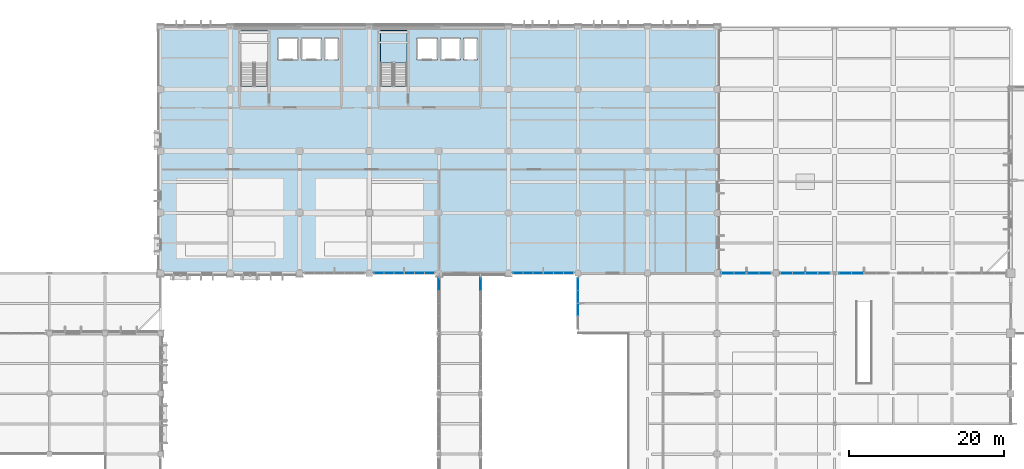
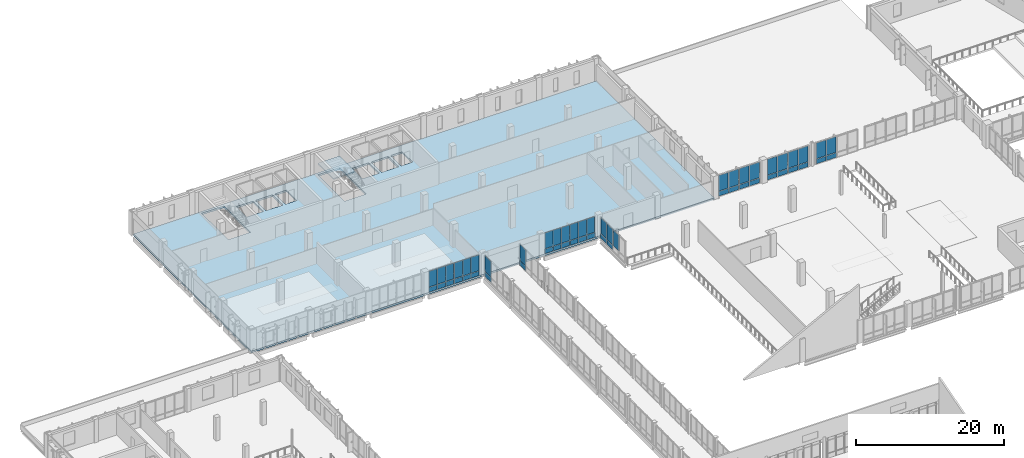
# One storey, part 48 of 85: 53 plates, 2 slabs, 14 elements without a shape of their own.
"""IFC4 building model written with IfcOpenShell, lengths in metres."""

from ifc_helpers import new_model, si_unit, direction, frame, origin, origin_2d, place, context, subcontext, project, spatial, polyline, rectangle, outline, extrude, material, layer, layer_set, type_object, element, aggregate, save


model = new_model("IFC4")

# Units and contexts
model_context = context("Model", 3, precision=1e-05, world=origin(), true_north=direction((0.0, 1.0)))
body_context = subcontext(model_context, "Body", "Model", "MODEL_VIEW")
ifc_project = project(units=[si_unit("LENGTHUNIT", "METRE"), si_unit("AREAUNIT", "SQUARE_METRE"), si_unit("VOLUMEUNIT", "CUBIC_METRE"), si_unit("PLANEANGLEUNIT", "RADIAN"), si_unit("MASSUNIT", "GRAM", prefix="KILO")], contexts=[model_context])

# Site, building, storey
site_placement = place(None, origin())
site = spatial("IfcSite", under=ifc_project, at=site_placement, CompositionType="ELEMENT")
building_placement = place(site_placement, origin())
building = spatial("IfcBuilding", under=site, at=building_placement, Name="Vervanel Yard Central Library", CompositionType="ELEMENT")
storey_placement = place(building_placement, frame((0.0, 0.0, 5.10009765625)))
storey = spatial("IfcBuildingStorey", under=building, at=storey_placement, Name="L01", CompositionType="ELEMENT", Elevation=5.10009765625)

# Curtain wall, plate
ifc_material_1 = material(Name="Thermally broken anodized aluminium 6063-T6", Category="aluminium")
curtain_wall_type_1 = type_object("IfcCurtainWallType", Name="Boulevard Cafe & Bridge Curtain Wall", PredefinedType="NOTDEFINED", material=ifc_material_1)
curtain_wall_1_placement = place(storey_placement, origin())
curtain_wall_1 = element("IfcCurtainWall", 1, at=curtain_wall_1_placement, inside=storey, type_object=curtain_wall_type_1, Name="L01 Boulevard Cafe & Bridge Curtain Wall CWR-L01-183", PredefinedType="NOTDEFINED")
ifc_material_2 = material(Name="Insulated bronze aluminium spandrel panel", Category="aluminium")
ifc_layer_1 = layer(ifc_material_2, 0.070068359375, Category="aluminium")
ifc_layer_set_1 = layer_set([ifc_layer_1], Name="Insulated bronze aluminium spandrel panel")
plate_type_1 = type_object("IfcPlateType", Name="Bridge Fascia Spandrel Panel 70", PredefinedType="CURTAIN_PANEL", material=ifc_layer_set_1)
plate_1_placement = place(storey_placement, frame((72.0, 80.782470703125, 0.06005859375), z_axis=(0.0, 0.0, 1.0), x_axis=(0.0, 1.0, 0.0)))
plate_1 = element("IfcPlate", 2, at=plate_1_placement, type_object=plate_type_1, Name="CWR-L01-183 Panel B4-1", PredefinedType="CURTAIN_PANEL", context=body_context, shape_type="SweptSolid", body=[
    extrude(rectangle(XDim=1.594970703125, YDim=0.070068359375, at=origin_2d()), origin(), (0.0, 0.0, 1.0), 0.760009765625),
])

curtain_wall_2_placement = place(storey_placement, origin())
curtain_wall_2 = element("IfcCurtainWall", 3, at=curtain_wall_2_placement, inside=storey, type_object=curtain_wall_type_1, Name="L01 Boulevard Cafe & Bridge Curtain Wall CWR-L01-191", PredefinedType="NOTDEFINED")
plate_2_placement = place(storey_placement, frame((77.39990234375, 80.782470703125, 0.06005859375), z_axis=(0.0, 0.0, 1.0), x_axis=(0.0, 1.0, 0.0)))
plate_2 = element("IfcPlate", 4, at=plate_2_placement, type_object=plate_type_1, Name="CWR-L01-191 Panel B4-1", PredefinedType="CURTAIN_PANEL", context=body_context, shape_type="SweptSolid", body=[
    extrude(rectangle(XDim=1.594970703125, YDim=0.070068359375, at=origin_2d()), origin(), (0.0, 0.0, 1.0), 0.760009765625),
])

# Plate
ifc_material_3 = material(Name="Double low-E laminated solar-control glass", Category="glass")
ifc_layer_2 = layer(ifc_material_3, 0.028076171875, Category="glass")
ifc_layer_set_2 = layer_set([ifc_layer_2], Name="Double low-E laminated solar-control glass")
plate_type_2 = type_object("IfcPlateType", Name="Bridge UV-Filtered Vision Panel 28", PredefinedType="CURTAIN_PANEL", material=ifc_layer_set_2)
plate_3_placement = place(storey_placement, frame((72.0, 80.782470703125, 0.8798828125), z_axis=(0.0, 0.0, 1.0), x_axis=(0.0, 1.0, 0.0)))
plate_3 = element("IfcPlate", 5, at=plate_3_placement, type_object=plate_type_2, Name="CWR-L01-183 Panel B4-2", PredefinedType="CURTAIN_PANEL", context=body_context, shape_type="SweptSolid", body=[
    extrude(rectangle(XDim=1.594970703125, YDim=0.028076171875, at=origin_2d()), origin(), (0.0, 0.0, 1.0), 2.590087890625),
])

aggregate(curtain_wall_1, [plate_1, plate_3])

plate_4_placement = place(storey_placement, frame((77.39990234375, 80.782470703125, 0.8798828125), z_axis=(0.0, 0.0, 1.0), x_axis=(0.0, 1.0, 0.0)))
plate_4 = element("IfcPlate", 6, at=plate_4_placement, type_object=plate_type_2, Name="CWR-L01-191 Panel B4-2", PredefinedType="CURTAIN_PANEL", context=body_context, shape_type="SweptSolid", body=[
    extrude(rectangle(XDim=1.594970703125, YDim=0.028076171875, at=origin_2d()), origin(), (0.0, 0.0, 1.0), 2.590087890625),
])

aggregate(curtain_wall_2, [plate_2, plate_4])

# Stair, slab
ifc_material_4 = material(Name="Concrete C40/50", Category="concrete")
stair_type = type_object("IfcStairType", Name="Protected Core Dog-Leg Stair ST-02", PredefinedType="HALF_TURN_STAIR", material=ifc_material_4)
stair_placement = place(storey_placement, origin())
stair = element("IfcStair", 7, at=stair_placement, inside=storey, type_object=stair_type, Name="L01 CORE-B Protected Exit Stair", PredefinedType="HALF_TURN_STAIR")
ifc_layer_3 = layer(ifc_material_4, 0.199951171875, Category="concrete")
ifc_layer_set_3 = layer_set([ifc_layer_3], Name="Concrete C40/50")
slab_type_1 = type_object("IfcSlabType", Name="Core Stair Concrete Landing Slab 200", PredefinedType="LANDING", material=ifc_layer_set_3)
slab_1_placement = place(storey_placement, frame((0.0, 0.0, 1.719970703125)))
slab_1 = element("IfcSlab", 8, at=slab_1_placement, type_object=slab_type_1, Name="ST-02 landing 1", PredefinedType="LANDING", context=body_context, shape_type="SweptSolid", body=[
    extrude(outline(polyline([(67.85009765625, 109.39990234375), (67.85009765625, 113.60009765625), (64.449951171875, 113.60009765625), (64.449951171875, 109.39990234375), (67.85009765625, 109.39990234375)])), origin(), (0.0, 0.0, 1.0), 0.199951171875),
])
aggregate(stair, [slab_1])

# Curtain wall, plates
curtain_wall_type_2 = type_object("IfcCurtainWallType", Name="Atrium Courtyard Curtain Wall", PredefinedType="NOTDEFINED", material=ifc_material_1)
curtain_wall_3_placement = place(storey_placement, origin())
curtain_wall_3 = element("IfcCurtainWall", 9, at=curtain_wall_3_placement, inside=storey, type_object=curtain_wall_type_2, Name="L01 Atrium Courtyard Curtain Wall CWR-L01-003", PredefinedType="NOTDEFINED")
ifc_layer_4 = layer(ifc_material_3, 0.030029296875, Category="glass")
ifc_layer_set_4 = layer_set([ifc_layer_4], Name="Double low-E laminated solar-control glass")
plate_type_3 = type_object("IfcPlateType", Name="Courtyard Clear Low-E Panel 30", PredefinedType="CURTAIN_PANEL", material=ifc_layer_set_4)
plate_5_placement = place(storey_placement, frame((64.23828125, 82.199951171875, 0.88232421875), z_axis=(0.0, 0.0, 1.0), x_axis=(1.0, 0.0, 0.0)))
plate_5 = element("IfcPlate", 10, at=plate_5_placement, type_object=plate_type_3, Name="CWR-L01-003 Panel B1-2", PredefinedType="CURTAIN_PANEL", context=body_context, shape_type="SweptSolid", body=[
    extrude(rectangle(XDim=1.2265625, YDim=0.030029296875, at=origin_2d()), origin(), (0.0, 0.0, 1.0), 2.58251953125),
])
plate_6_placement = place(storey_placement, frame((65.530029296875, 82.199951171875, 0.88232421875), z_axis=(0.0, 0.0, 1.0), x_axis=(1.0, 0.0, 0.0)))
plate_6 = element("IfcPlate", 11, at=plate_6_placement, type_object=plate_type_3, Name="CWR-L01-003 Panel B2-2", PredefinedType="CURTAIN_PANEL", context=body_context, shape_type="SweptSolid", body=[
    extrude(rectangle(XDim=1.2265625, YDim=0.030029296875, at=origin_2d()), origin(), (0.0, 0.0, 1.0), 2.58251953125),
])
plate_7_placement = place(storey_placement, frame((66.82177734375, 82.199951171875, 0.88232421875), z_axis=(0.0, 0.0, 1.0), x_axis=(1.0, 0.0, 0.0)))
plate_7 = element("IfcPlate", 12, at=plate_7_placement, type_object=plate_type_3, Name="CWR-L01-003 Panel B3-2", PredefinedType="CURTAIN_PANEL", context=body_context, shape_type="SweptSolid", body=[
    extrude(rectangle(XDim=1.2265625, YDim=0.030029296875, at=origin_2d()), origin(), (0.0, 0.0, 1.0), 2.58251953125),
])

curtain_wall_4_placement = place(storey_placement, origin())
curtain_wall_4 = element("IfcCurtainWall", 13, at=curtain_wall_4_placement, inside=storey, type_object=curtain_wall_type_2, Name="L01 Atrium Courtyard Curtain Wall CWR-L01-004", PredefinedType="NOTDEFINED")
plate_8_placement = place(storey_placement, frame((68.17822265625, 82.199951171875, 0.88232421875), z_axis=(0.0, 0.0, 1.0), x_axis=(1.0, 0.0, 0.0)))
plate_8 = element("IfcPlate", 14, at=plate_8_placement, type_object=plate_type_3, Name="CWR-L01-004 Panel B1-2", PredefinedType="CURTAIN_PANEL", context=body_context, shape_type="SweptSolid", body=[
    extrude(rectangle(XDim=1.2265625, YDim=0.030029296875, at=origin_2d()), origin(), (0.0, 0.0, 1.0), 2.58251953125),
])
plate_9_placement = place(storey_placement, frame((69.469970703125, 82.199951171875, 0.88232421875), z_axis=(0.0, 0.0, 1.0), x_axis=(1.0, 0.0, 0.0)))
plate_9 = element("IfcPlate", 15, at=plate_9_placement, type_object=plate_type_3, Name="CWR-L01-004 Panel B2-2", PredefinedType="CURTAIN_PANEL", context=body_context, shape_type="SweptSolid", body=[
    extrude(rectangle(XDim=1.2265625, YDim=0.030029296875, at=origin_2d()), origin(), (0.0, 0.0, 1.0), 2.58251953125),
])
plate_10_placement = place(storey_placement, frame((70.76171875, 82.199951171875, 0.88232421875), z_axis=(0.0, 0.0, 1.0), x_axis=(1.0, 0.0, 0.0)))
plate_10 = element("IfcPlate", 16, at=plate_10_placement, type_object=plate_type_3, Name="CWR-L01-004 Panel B3-2", PredefinedType="CURTAIN_PANEL", context=body_context, shape_type="SweptSolid", body=[
    extrude(rectangle(XDim=1.2265625, YDim=0.030029296875, at=origin_2d()), origin(), (0.0, 0.0, 1.0), 2.58251953125),
])

curtain_wall_5_placement = place(storey_placement, origin())
curtain_wall_5 = element("IfcCurtainWall", 17, at=curtain_wall_5_placement, inside=storey, type_object=curtain_wall_type_2, Name="L01 Atrium Courtyard Curtain Wall CWR-L01-005", PredefinedType="NOTDEFINED")
plate_11_placement = place(storey_placement, frame((82.23828125, 82.199951171875, 0.88232421875), z_axis=(0.0, 0.0, 1.0), x_axis=(1.0, 0.0, 0.0)))
plate_11 = element("IfcPlate", 18, at=plate_11_placement, type_object=plate_type_3, Name="CWR-L01-005 Panel B1-2", PredefinedType="CURTAIN_PANEL", context=body_context, shape_type="SweptSolid", body=[
    extrude(rectangle(XDim=1.2265625, YDim=0.030029296875, at=origin_2d()), origin(), (0.0, 0.0, 1.0), 2.58251953125),
])
plate_12_placement = place(storey_placement, frame((83.530029296875, 82.199951171875, 0.88232421875), z_axis=(0.0, 0.0, 1.0), x_axis=(1.0, 0.0, 0.0)))
plate_12 = element("IfcPlate", 19, at=plate_12_placement, type_object=plate_type_3, Name="CWR-L01-005 Panel B2-2", PredefinedType="CURTAIN_PANEL", context=body_context, shape_type="SweptSolid", body=[
    extrude(rectangle(XDim=1.2265625, YDim=0.030029296875, at=origin_2d()), origin(), (0.0, 0.0, 1.0), 2.58251953125),
])
plate_13_placement = place(storey_placement, frame((84.82177734375, 82.199951171875, 0.88232421875), z_axis=(0.0, 0.0, 1.0), x_axis=(1.0, 0.0, 0.0)))
plate_13 = element("IfcPlate", 20, at=plate_13_placement, type_object=plate_type_3, Name="CWR-L01-005 Panel B3-2", PredefinedType="CURTAIN_PANEL", context=body_context, shape_type="SweptSolid", body=[
    extrude(rectangle(XDim=1.2265625, YDim=0.030029296875, at=origin_2d()), origin(), (0.0, 0.0, 1.0), 2.58251953125),
])

curtain_wall_6_placement = place(storey_placement, origin())
curtain_wall_6 = element("IfcCurtainWall", 21, at=curtain_wall_6_placement, inside=storey, type_object=curtain_wall_type_2, Name="L01 Atrium Courtyard Curtain Wall CWR-L01-006", PredefinedType="NOTDEFINED")
plate_14_placement = place(storey_placement, frame((86.17822265625, 82.199951171875, 0.88232421875), z_axis=(0.0, 0.0, 1.0), x_axis=(1.0, 0.0, 0.0)))
plate_14 = element("IfcPlate", 22, at=plate_14_placement, type_object=plate_type_3, Name="CWR-L01-006 Panel B1-2", PredefinedType="CURTAIN_PANEL", context=body_context, shape_type="SweptSolid", body=[
    extrude(rectangle(XDim=1.2265625, YDim=0.030029296875, at=origin_2d()), origin(), (0.0, 0.0, 1.0), 2.58251953125),
])
plate_15_placement = place(storey_placement, frame((87.469970703125, 82.199951171875, 0.88232421875), z_axis=(0.0, 0.0, 1.0), x_axis=(1.0, 0.0, 0.0)))
plate_15 = element("IfcPlate", 23, at=plate_15_placement, type_object=plate_type_3, Name="CWR-L01-006 Panel B2-2", PredefinedType="CURTAIN_PANEL", context=body_context, shape_type="SweptSolid", body=[
    extrude(rectangle(XDim=1.2265625, YDim=0.030029296875, at=origin_2d()), origin(), (0.0, 0.0, 1.0), 2.58251953125),
])
plate_16_placement = place(storey_placement, frame((88.76171875, 82.199951171875, 0.88232421875), z_axis=(0.0, 0.0, 1.0), x_axis=(1.0, 0.0, 0.0)))
plate_16 = element("IfcPlate", 24, at=plate_16_placement, type_object=plate_type_3, Name="CWR-L01-006 Panel B3-2", PredefinedType="CURTAIN_PANEL", context=body_context, shape_type="SweptSolid", body=[
    extrude(rectangle(XDim=1.2265625, YDim=0.030029296875, at=origin_2d()), origin(), (0.0, 0.0, 1.0), 2.58251953125),
])

# Curtain wall, plate
curtain_wall_type_3 = type_object("IfcCurtainWallType", Name="Reading Hall Full-Height Curtain Wall", PredefinedType="NOTDEFINED", material=ifc_material_1)
curtain_wall_7_placement = place(storey_placement, origin())
curtain_wall_7 = element("IfcCurtainWall", 25, at=curtain_wall_7_placement, inside=storey, type_object=curtain_wall_type_3, Name="L01 Reading Hall Full-Height Curtain Wall CWR-L01-050", PredefinedType="NOTDEFINED")
plate_17_placement = place(storey_placement, frame((90.0, 77.447509765625, 0.884765625), z_axis=(0.0, 0.0, 1.0), x_axis=(0.0, 1.0, 0.0)))
plate_17 = element("IfcPlate", 26, at=plate_17_placement, type_object=plate_type_3, Name="CWR-L01-050 Panel B2-2", PredefinedType="CURTAIN_PANEL", context=body_context, shape_type="SweptSolid", body=[
    extrude(rectangle(XDim=1.56494140625, YDim=0.030029296875, at=origin_2d()), origin(), (0.0, 0.0, 1.0), 2.574951171875),
])
aggregate(curtain_wall_7, [plate_17])

# Curtain wall, plates
curtain_wall_8_placement = place(storey_placement, origin())
curtain_wall_8 = element("IfcCurtainWall", 27, at=curtain_wall_8_placement, inside=storey, type_object=curtain_wall_type_3, Name="L01 Reading Hall Full-Height Curtain Wall CWR-L01-051", PredefinedType="NOTDEFINED")
plate_18_placement = place(storey_placement, frame((90.0, 79.152587890625, 0.884765625), z_axis=(0.0, 0.0, 1.0), x_axis=(0.0, 1.0, 0.0)))
plate_18 = element("IfcPlate", 28, at=plate_18_placement, type_object=plate_type_3, Name="CWR-L01-051 Panel B1-2", PredefinedType="CURTAIN_PANEL", context=body_context, shape_type="SweptSolid", body=[
    extrude(rectangle(XDim=1.56494140625, YDim=0.030029296875, at=origin_2d()), origin(), (0.0, 0.0, 1.0), 2.574951171875),
])
plate_19_placement = place(storey_placement, frame((90.0, 80.78759765625, 0.884765625), z_axis=(0.0, 0.0, 1.0), x_axis=(0.0, 1.0, 0.0)))
plate_19 = element("IfcPlate", 29, at=plate_19_placement, type_object=plate_type_3, Name="CWR-L01-051 Panel B2-2", PredefinedType="CURTAIN_PANEL", context=body_context, shape_type="SweptSolid", body=[
    extrude(rectangle(XDim=1.56494140625, YDim=0.030029296875, at=origin_2d()), origin(), (0.0, 0.0, 1.0), 2.574951171875),
])

# Plate
ifc_layer_5 = layer(ifc_material_2, 0.080078125, Category="aluminium")
ifc_layer_set_5 = layer_set([ifc_layer_5], Name="Insulated bronze aluminium spandrel panel")
plate_type_4 = type_object("IfcPlateType", Name="Insulated Bronze Spandrel Panel 80", PredefinedType="CURTAIN_PANEL", material=ifc_layer_set_5)
plate_20_placement = place(storey_placement, frame((64.23828125, 82.199951171875, 0.06494140625), z_axis=(0.0, 0.0, 1.0), x_axis=(1.0, 0.0, 0.0)))
plate_20 = element("IfcPlate", 30, at=plate_20_placement, type_object=plate_type_4, Name="CWR-L01-003 Panel B1-1", PredefinedType="CURTAIN_PANEL", context=body_context, shape_type="SweptSolid", body=[
    extrude(rectangle(XDim=1.2265625, YDim=0.080078125, at=origin_2d()), origin(), (0.0, 0.0, 1.0), 0.75244140625),
])

plate_21_placement = place(storey_placement, frame((65.530029296875, 82.199951171875, 0.06494140625), z_axis=(0.0, 0.0, 1.0), x_axis=(1.0, 0.0, 0.0)))
plate_21 = element("IfcPlate", 31, at=plate_21_placement, type_object=plate_type_4, Name="CWR-L01-003 Panel B2-1", PredefinedType="CURTAIN_PANEL", context=body_context, shape_type="SweptSolid", body=[
    extrude(rectangle(XDim=1.2265625, YDim=0.080078125, at=origin_2d()), origin(), (0.0, 0.0, 1.0), 0.75244140625),
])

plate_22_placement = place(storey_placement, frame((66.82177734375, 82.199951171875, 0.06494140625), z_axis=(0.0, 0.0, 1.0), x_axis=(1.0, 0.0, 0.0)))
plate_22 = element("IfcPlate", 32, at=plate_22_placement, type_object=plate_type_4, Name="CWR-L01-003 Panel B3-1", PredefinedType="CURTAIN_PANEL", context=body_context, shape_type="SweptSolid", body=[
    extrude(rectangle(XDim=1.2265625, YDim=0.080078125, at=origin_2d()), origin(), (0.0, 0.0, 1.0), 0.75244140625),
])

aggregate(curtain_wall_3, [plate_20, plate_5, plate_21, plate_6, plate_22, plate_7])

plate_23_placement = place(storey_placement, frame((68.17822265625, 82.199951171875, 0.06494140625), z_axis=(0.0, 0.0, 1.0), x_axis=(1.0, 0.0, 0.0)))
plate_23 = element("IfcPlate", 33, at=plate_23_placement, type_object=plate_type_4, Name="CWR-L01-004 Panel B1-1", PredefinedType="CURTAIN_PANEL", context=body_context, shape_type="SweptSolid", body=[
    extrude(rectangle(XDim=1.2265625, YDim=0.080078125, at=origin_2d()), origin(), (0.0, 0.0, 1.0), 0.75244140625),
])

plate_24_placement = place(storey_placement, frame((69.469970703125, 82.199951171875, 0.06494140625), z_axis=(0.0, 0.0, 1.0), x_axis=(1.0, 0.0, 0.0)))
plate_24 = element("IfcPlate", 34, at=plate_24_placement, type_object=plate_type_4, Name="CWR-L01-004 Panel B2-1", PredefinedType="CURTAIN_PANEL", context=body_context, shape_type="SweptSolid", body=[
    extrude(rectangle(XDim=1.2265625, YDim=0.080078125, at=origin_2d()), origin(), (0.0, 0.0, 1.0), 0.75244140625),
])

plate_25_placement = place(storey_placement, frame((70.76171875, 82.199951171875, 0.06494140625), z_axis=(0.0, 0.0, 1.0), x_axis=(1.0, 0.0, 0.0)))
plate_25 = element("IfcPlate", 35, at=plate_25_placement, type_object=plate_type_4, Name="CWR-L01-004 Panel B3-1", PredefinedType="CURTAIN_PANEL", context=body_context, shape_type="SweptSolid", body=[
    extrude(rectangle(XDim=1.2265625, YDim=0.080078125, at=origin_2d()), origin(), (0.0, 0.0, 1.0), 0.75244140625),
])

aggregate(curtain_wall_4, [plate_23, plate_8, plate_24, plate_9, plate_25, plate_10])

plate_26_placement = place(storey_placement, frame((82.23828125, 82.199951171875, 0.06494140625), z_axis=(0.0, 0.0, 1.0), x_axis=(1.0, 0.0, 0.0)))
plate_26 = element("IfcPlate", 36, at=plate_26_placement, type_object=plate_type_4, Name="CWR-L01-005 Panel B1-1", PredefinedType="CURTAIN_PANEL", context=body_context, shape_type="SweptSolid", body=[
    extrude(rectangle(XDim=1.2265625, YDim=0.080078125, at=origin_2d()), origin(), (0.0, 0.0, 1.0), 0.75244140625),
])

plate_27_placement = place(storey_placement, frame((83.530029296875, 82.199951171875, 0.06494140625), z_axis=(0.0, 0.0, 1.0), x_axis=(1.0, 0.0, 0.0)))
plate_27 = element("IfcPlate", 37, at=plate_27_placement, type_object=plate_type_4, Name="CWR-L01-005 Panel B2-1", PredefinedType="CURTAIN_PANEL", context=body_context, shape_type="SweptSolid", body=[
    extrude(rectangle(XDim=1.2265625, YDim=0.080078125, at=origin_2d()), origin(), (0.0, 0.0, 1.0), 0.75244140625),
])

plate_28_placement = place(storey_placement, frame((84.82177734375, 82.199951171875, 0.06494140625), z_axis=(0.0, 0.0, 1.0), x_axis=(1.0, 0.0, 0.0)))
plate_28 = element("IfcPlate", 38, at=plate_28_placement, type_object=plate_type_4, Name="CWR-L01-005 Panel B3-1", PredefinedType="CURTAIN_PANEL", context=body_context, shape_type="SweptSolid", body=[
    extrude(rectangle(XDim=1.2265625, YDim=0.080078125, at=origin_2d()), origin(), (0.0, 0.0, 1.0), 0.75244140625),
])

aggregate(curtain_wall_5, [plate_26, plate_11, plate_27, plate_12, plate_28, plate_13])

plate_29_placement = place(storey_placement, frame((86.17822265625, 82.199951171875, 0.06494140625), z_axis=(0.0, 0.0, 1.0), x_axis=(1.0, 0.0, 0.0)))
plate_29 = element("IfcPlate", 39, at=plate_29_placement, type_object=plate_type_4, Name="CWR-L01-006 Panel B1-1", PredefinedType="CURTAIN_PANEL", context=body_context, shape_type="SweptSolid", body=[
    extrude(rectangle(XDim=1.2265625, YDim=0.080078125, at=origin_2d()), origin(), (0.0, 0.0, 1.0), 0.75244140625),
])

plate_30_placement = place(storey_placement, frame((87.469970703125, 82.199951171875, 0.06494140625), z_axis=(0.0, 0.0, 1.0), x_axis=(1.0, 0.0, 0.0)))
plate_30 = element("IfcPlate", 40, at=plate_30_placement, type_object=plate_type_4, Name="CWR-L01-006 Panel B2-1", PredefinedType="CURTAIN_PANEL", context=body_context, shape_type="SweptSolid", body=[
    extrude(rectangle(XDim=1.2265625, YDim=0.080078125, at=origin_2d()), origin(), (0.0, 0.0, 1.0), 0.75244140625),
])

plate_31_placement = place(storey_placement, frame((88.76171875, 82.199951171875, 0.06494140625), z_axis=(0.0, 0.0, 1.0), x_axis=(1.0, 0.0, 0.0)))
plate_31 = element("IfcPlate", 41, at=plate_31_placement, type_object=plate_type_4, Name="CWR-L01-006 Panel B3-1", PredefinedType="CURTAIN_PANEL", context=body_context, shape_type="SweptSolid", body=[
    extrude(rectangle(XDim=1.2265625, YDim=0.080078125, at=origin_2d()), origin(), (0.0, 0.0, 1.0), 0.75244140625),
])

aggregate(curtain_wall_6, [plate_29, plate_14, plate_30, plate_15, plate_31, plate_16])

# Curtain wall, plates
curtain_wall_9_placement = place(storey_placement, origin())
curtain_wall_9 = element("IfcCurtainWall", 42, at=curtain_wall_9_placement, inside=storey, type_object=curtain_wall_type_3, Name="L01 Reading Hall Full-Height Curtain Wall CWR-L01-086", PredefinedType="NOTDEFINED")
ifc_layer_6 = layer(ifc_material_3, 0.0380859375, Category="glass")
ifc_layer_set_6 = layer_set([ifc_layer_6], Name="Double low-E laminated solar-control glass")
plate_type_5 = type_object("IfcPlateType", Name="Reading Hall Acoustic Vision Panel 38", PredefinedType="CURTAIN_PANEL", material=ifc_layer_set_6)
plate_32_placement = place(storey_placement, frame((109.387451171875, 82.199951171875, 0.884765625), z_axis=(0.0, 0.0, 1.0), x_axis=(1.0, 0.0, 0.0)))
plate_32 = element("IfcPlate", 43, at=plate_32_placement, type_object=plate_type_5, Name="CWR-L01-086 Panel B1-2", PredefinedType="CURTAIN_PANEL", context=body_context, shape_type="SweptSolid", body=[
    extrude(rectangle(XDim=1.514892578125, YDim=0.0380859375, at=origin_2d()), origin(), (0.0, 0.0, 1.0), 2.574951171875),
])
plate_33_placement = place(storey_placement, frame((110.972412109375, 82.199951171875, 0.884765625), z_axis=(0.0, 0.0, 1.0), x_axis=(1.0, 0.0, 0.0)))
plate_33 = element("IfcPlate", 44, at=plate_33_placement, type_object=plate_type_5, Name="CWR-L01-086 Panel B2-2", PredefinedType="CURTAIN_PANEL", context=body_context, shape_type="SweptSolid", body=[
    extrude(rectangle(XDim=1.514892578125, YDim=0.0380859375, at=origin_2d()), origin(), (0.0, 0.0, 1.0), 2.574951171875),
])

curtain_wall_10_placement = place(storey_placement, origin())
curtain_wall_10 = element("IfcCurtainWall", 45, at=curtain_wall_10_placement, inside=storey, type_object=curtain_wall_type_3, Name="L01 Reading Hall Full-Height Curtain Wall CWR-L01-087", PredefinedType="NOTDEFINED")
plate_34_placement = place(storey_placement, frame((112.62744140625, 82.199951171875, 0.884765625), z_axis=(0.0, 0.0, 1.0), x_axis=(1.0, 0.0, 0.0)))
plate_34 = element("IfcPlate", 46, at=plate_34_placement, type_object=plate_type_5, Name="CWR-L01-087 Panel B1-2", PredefinedType="CURTAIN_PANEL", context=body_context, shape_type="SweptSolid", body=[
    extrude(rectangle(XDim=1.514892578125, YDim=0.0380859375, at=origin_2d()), origin(), (0.0, 0.0, 1.0), 2.574951171875),
])
plate_35_placement = place(storey_placement, frame((114.21240234375, 82.199951171875, 0.884765625), z_axis=(0.0, 0.0, 1.0), x_axis=(1.0, 0.0, 0.0)))
plate_35 = element("IfcPlate", 47, at=plate_35_placement, type_object=plate_type_5, Name="CWR-L01-087 Panel B2-2", PredefinedType="CURTAIN_PANEL", context=body_context, shape_type="SweptSolid", body=[
    extrude(rectangle(XDim=1.514892578125, YDim=0.0380859375, at=origin_2d()), origin(), (0.0, 0.0, 1.0), 2.574951171875),
])

curtain_wall_11_placement = place(storey_placement, origin())
curtain_wall_11 = element("IfcCurtainWall", 48, at=curtain_wall_11_placement, inside=storey, type_object=curtain_wall_type_3, Name="L01 Reading Hall Full-Height Curtain Wall CWR-L01-088", PredefinedType="NOTDEFINED")
plate_36_placement = place(storey_placement, frame((116.987548828125, 82.199951171875, 0.884765625), z_axis=(0.0, 0.0, 1.0), x_axis=(1.0, 0.0, 0.0)))
plate_36 = element("IfcPlate", 49, at=plate_36_placement, type_object=plate_type_5, Name="CWR-L01-088 Panel B1-2", PredefinedType="CURTAIN_PANEL", context=body_context, shape_type="SweptSolid", body=[
    extrude(rectangle(XDim=1.514892578125, YDim=0.0380859375, at=origin_2d()), origin(), (0.0, 0.0, 1.0), 2.574951171875),
])
plate_37_placement = place(storey_placement, frame((118.572509765625, 82.199951171875, 0.884765625), z_axis=(0.0, 0.0, 1.0), x_axis=(1.0, 0.0, 0.0)))
plate_37 = element("IfcPlate", 50, at=plate_37_placement, type_object=plate_type_5, Name="CWR-L01-088 Panel B2-2", PredefinedType="CURTAIN_PANEL", context=body_context, shape_type="SweptSolid", body=[
    extrude(rectangle(XDim=1.514892578125, YDim=0.0380859375, at=origin_2d()), origin(), (0.0, 0.0, 1.0), 2.574951171875),
])

curtain_wall_12_placement = place(storey_placement, origin())
curtain_wall_12 = element("IfcCurtainWall", 51, at=curtain_wall_12_placement, inside=storey, type_object=curtain_wall_type_3, Name="L01 Reading Hall Full-Height Curtain Wall CWR-L01-089", PredefinedType="NOTDEFINED")
plate_38_placement = place(storey_placement, frame((120.2275390625, 82.199951171875, 0.884765625), z_axis=(0.0, 0.0, 1.0), x_axis=(1.0, 0.0, 0.0)))
plate_38 = element("IfcPlate", 52, at=plate_38_placement, type_object=plate_type_5, Name="CWR-L01-089 Panel B1-2", PredefinedType="CURTAIN_PANEL", context=body_context, shape_type="SweptSolid", body=[
    extrude(rectangle(XDim=1.514892578125, YDim=0.0380859375, at=origin_2d()), origin(), (0.0, 0.0, 1.0), 2.574951171875),
])
plate_39_placement = place(storey_placement, frame((121.8125, 82.199951171875, 0.884765625), z_axis=(0.0, 0.0, 1.0), x_axis=(1.0, 0.0, 0.0)))
plate_39 = element("IfcPlate", 53, at=plate_39_placement, type_object=plate_type_5, Name="CWR-L01-089 Panel B2-2", PredefinedType="CURTAIN_PANEL", context=body_context, shape_type="SweptSolid", body=[
    extrude(rectangle(XDim=1.514892578125, YDim=0.0380859375, at=origin_2d()), origin(), (0.0, 0.0, 1.0), 2.574951171875),
])

curtain_wall_13_placement = place(storey_placement, origin())
curtain_wall_13 = element("IfcCurtainWall", 54, at=curtain_wall_13_placement, inside=storey, type_object=curtain_wall_type_3, Name="L01 Reading Hall Full-Height Curtain Wall CWR-L01-090", PredefinedType="NOTDEFINED")
plate_40_placement = place(storey_placement, frame((124.58740234375, 82.199951171875, 0.884765625), z_axis=(0.0, 0.0, 1.0), x_axis=(1.0, 0.0, 0.0)))
plate_40 = element("IfcPlate", 55, at=plate_40_placement, type_object=plate_type_5, Name="CWR-L01-090 Panel B1-2", PredefinedType="CURTAIN_PANEL", context=body_context, shape_type="SweptSolid", body=[
    extrude(rectangle(XDim=1.514892578125, YDim=0.0380859375, at=origin_2d()), origin(), (0.0, 0.0, 1.0), 2.574951171875),
])
plate_41_placement = place(storey_placement, frame((126.172607421875, 82.199951171875, 0.884765625), z_axis=(0.0, 0.0, 1.0), x_axis=(1.0, 0.0, 0.0)))
plate_41 = element("IfcPlate", 56, at=plate_41_placement, type_object=plate_type_5, Name="CWR-L01-090 Panel B2-2", PredefinedType="CURTAIN_PANEL", context=body_context, shape_type="SweptSolid", body=[
    extrude(rectangle(XDim=1.514892578125, YDim=0.0380859375, at=origin_2d()), origin(), (0.0, 0.0, 1.0), 2.574951171875),
])

# Plate
ifc_layer_7 = layer(ifc_material_2, 0.094970703125, Category="aluminium")
ifc_layer_set_7 = layer_set([ifc_layer_7], Name="Insulated bronze aluminium spandrel panel")
plate_type_6 = type_object("IfcPlateType", Name="Reading Hall Shadow-Box Spandrel 95", PredefinedType="CURTAIN_PANEL", material=ifc_layer_set_7)
plate_42_placement = place(storey_placement, frame((90.0, 79.152587890625, 0.06982421875), z_axis=(0.0, 0.0, 1.0), x_axis=(0.0, 1.0, 0.0)))
plate_42 = element("IfcPlate", 57, at=plate_42_placement, type_object=plate_type_6, Name="CWR-L01-051 Panel B1-1", PredefinedType="CURTAIN_PANEL", context=body_context, shape_type="SweptSolid", body=[
    extrude(rectangle(XDim=1.56494140625, YDim=0.094970703125, at=origin_2d()), origin(), (0.0, 0.0, 1.0), 0.7451171875),
])

plate_43_placement = place(storey_placement, frame((90.0, 80.78759765625, 0.06982421875), z_axis=(0.0, 0.0, 1.0), x_axis=(0.0, 1.0, 0.0)))
plate_43 = element("IfcPlate", 58, at=plate_43_placement, type_object=plate_type_6, Name="CWR-L01-051 Panel B2-1", PredefinedType="CURTAIN_PANEL", context=body_context, shape_type="SweptSolid", body=[
    extrude(rectangle(XDim=1.56494140625, YDim=0.094970703125, at=origin_2d()), origin(), (0.0, 0.0, 1.0), 0.7451171875),
])

aggregate(curtain_wall_8, [plate_42, plate_18, plate_43, plate_19])

plate_44_placement = place(storey_placement, frame((109.387451171875, 82.199951171875, 0.06982421875), z_axis=(0.0, 0.0, 1.0), x_axis=(1.0, 0.0, 0.0)))
plate_44 = element("IfcPlate", 59, at=plate_44_placement, type_object=plate_type_6, Name="CWR-L01-086 Panel B1-1", PredefinedType="CURTAIN_PANEL", context=body_context, shape_type="SweptSolid", body=[
    extrude(rectangle(XDim=1.514892578125, YDim=0.094970703125, at=origin_2d()), origin(), (0.0, 0.0, 1.0), 0.7451171875),
])

plate_45_placement = place(storey_placement, frame((110.972412109375, 82.199951171875, 0.06982421875), z_axis=(0.0, 0.0, 1.0), x_axis=(1.0, 0.0, 0.0)))
plate_45 = element("IfcPlate", 60, at=plate_45_placement, type_object=plate_type_6, Name="CWR-L01-086 Panel B2-1", PredefinedType="CURTAIN_PANEL", context=body_context, shape_type="SweptSolid", body=[
    extrude(rectangle(XDim=1.514892578125, YDim=0.094970703125, at=origin_2d()), origin(), (0.0, 0.0, 1.0), 0.7451171875),
])

aggregate(curtain_wall_9, [plate_44, plate_32, plate_45, plate_33])

plate_46_placement = place(storey_placement, frame((112.62744140625, 82.199951171875, 0.06982421875), z_axis=(0.0, 0.0, 1.0), x_axis=(1.0, 0.0, 0.0)))
plate_46 = element("IfcPlate", 61, at=plate_46_placement, type_object=plate_type_6, Name="CWR-L01-087 Panel B1-1", PredefinedType="CURTAIN_PANEL", context=body_context, shape_type="SweptSolid", body=[
    extrude(rectangle(XDim=1.514892578125, YDim=0.094970703125, at=origin_2d()), origin(), (0.0, 0.0, 1.0), 0.7451171875),
])

plate_47_placement = place(storey_placement, frame((114.21240234375, 82.199951171875, 0.06982421875), z_axis=(0.0, 0.0, 1.0), x_axis=(1.0, 0.0, 0.0)))
plate_47 = element("IfcPlate", 62, at=plate_47_placement, type_object=plate_type_6, Name="CWR-L01-087 Panel B2-1", PredefinedType="CURTAIN_PANEL", context=body_context, shape_type="SweptSolid", body=[
    extrude(rectangle(XDim=1.514892578125, YDim=0.094970703125, at=origin_2d()), origin(), (0.0, 0.0, 1.0), 0.7451171875),
])

aggregate(curtain_wall_10, [plate_46, plate_34, plate_47, plate_35])

plate_48_placement = place(storey_placement, frame((116.987548828125, 82.199951171875, 0.06982421875), z_axis=(0.0, 0.0, 1.0), x_axis=(1.0, 0.0, 0.0)))
plate_48 = element("IfcPlate", 63, at=plate_48_placement, type_object=plate_type_6, Name="CWR-L01-088 Panel B1-1", PredefinedType="CURTAIN_PANEL", context=body_context, shape_type="SweptSolid", body=[
    extrude(rectangle(XDim=1.514892578125, YDim=0.094970703125, at=origin_2d()), origin(), (0.0, 0.0, 1.0), 0.7451171875),
])

plate_49_placement = place(storey_placement, frame((118.572509765625, 82.199951171875, 0.06982421875), z_axis=(0.0, 0.0, 1.0), x_axis=(1.0, 0.0, 0.0)))
plate_49 = element("IfcPlate", 64, at=plate_49_placement, type_object=plate_type_6, Name="CWR-L01-088 Panel B2-1", PredefinedType="CURTAIN_PANEL", context=body_context, shape_type="SweptSolid", body=[
    extrude(rectangle(XDim=1.514892578125, YDim=0.094970703125, at=origin_2d()), origin(), (0.0, 0.0, 1.0), 0.7451171875),
])

aggregate(curtain_wall_11, [plate_48, plate_36, plate_49, plate_37])

plate_50_placement = place(storey_placement, frame((120.2275390625, 82.199951171875, 0.06982421875), z_axis=(0.0, 0.0, 1.0), x_axis=(1.0, 0.0, 0.0)))
plate_50 = element("IfcPlate", 65, at=plate_50_placement, type_object=plate_type_6, Name="CWR-L01-089 Panel B1-1", PredefinedType="CURTAIN_PANEL", context=body_context, shape_type="SweptSolid", body=[
    extrude(rectangle(XDim=1.514892578125, YDim=0.094970703125, at=origin_2d()), origin(), (0.0, 0.0, 1.0), 0.7451171875),
])

plate_51_placement = place(storey_placement, frame((121.8125, 82.199951171875, 0.06982421875), z_axis=(0.0, 0.0, 1.0), x_axis=(1.0, 0.0, 0.0)))
plate_51 = element("IfcPlate", 66, at=plate_51_placement, type_object=plate_type_6, Name="CWR-L01-089 Panel B2-1", PredefinedType="CURTAIN_PANEL", context=body_context, shape_type="SweptSolid", body=[
    extrude(rectangle(XDim=1.514892578125, YDim=0.094970703125, at=origin_2d()), origin(), (0.0, 0.0, 1.0), 0.7451171875),
])

aggregate(curtain_wall_12, [plate_50, plate_38, plate_51, plate_39])

plate_52_placement = place(storey_placement, frame((124.58740234375, 82.199951171875, 0.06982421875), z_axis=(0.0, 0.0, 1.0), x_axis=(1.0, 0.0, 0.0)))
plate_52 = element("IfcPlate", 67, at=plate_52_placement, type_object=plate_type_6, Name="CWR-L01-090 Panel B1-1", PredefinedType="CURTAIN_PANEL", context=body_context, shape_type="SweptSolid", body=[
    extrude(rectangle(XDim=1.514892578125, YDim=0.094970703125, at=origin_2d()), origin(), (0.0, 0.0, 1.0), 0.7451171875),
])

plate_53_placement = place(storey_placement, frame((126.172607421875, 82.199951171875, 0.06982421875), z_axis=(0.0, 0.0, 1.0), x_axis=(1.0, 0.0, 0.0)))
plate_53 = element("IfcPlate", 68, at=plate_53_placement, type_object=plate_type_6, Name="CWR-L01-090 Panel B2-1", PredefinedType="CURTAIN_PANEL", context=body_context, shape_type="SweptSolid", body=[
    extrude(rectangle(XDim=1.514892578125, YDim=0.094970703125, at=origin_2d()), origin(), (0.0, 0.0, 1.0), 0.7451171875),
])

aggregate(curtain_wall_13, [plate_52, plate_40, plate_53, plate_41])

# Slab
ifc_layer_8 = layer(ifc_material_4, 0.300048828125, Category="concrete")
ifc_layer_set_8 = layer_set([ifc_layer_8], Name="Concrete C40/50")
slab_type_2 = type_object("IfcSlabType", Name="Stack Structural Floor Slab 300", PredefinedType="FLOOR", material=ifc_layer_set_8)
slab_2_placement = place(storey_placement, frame((0.0, 0.0, -0.300048828125)))
element("IfcSlab", 69, at=slab_2_placement, inside=storey, type_object=slab_type_2, Name="L01 V1 Stack Structural Floor Slab 300", PredefinedType="FLOOR", context=body_context, shape_type="SweptSolid", body=[
    extrude(outline(polyline([(36.0, 82.199951171875), (108.0, 82.199951171875), (108.0, 114.0), (36.0, 114.0), (36.0, 82.199951171875)]), holes=[polyline([(46.389892578125, 106.43505859375), (49.85009765625, 106.43505859375), (49.85009765625, 113.60009765625), (46.389892578125, 113.60009765625), (46.389892578125, 106.43505859375)]), polyline([(51.199951171875, 109.800048828125), (53.800048828125, 109.800048828125), (53.800048828125, 112.60009765625), (51.199951171875, 112.60009765625), (51.199951171875, 109.800048828125)]), polyline([(54.199951171875, 109.800048828125), (56.800048828125, 109.800048828125), (56.800048828125, 112.60009765625), (54.199951171875, 112.60009765625), (54.199951171875, 109.800048828125)]), polyline([(57.199951171875, 109.800048828125), (59.0, 109.800048828125), (59.0, 112.60009765625), (57.199951171875, 112.60009765625), (57.199951171875, 109.800048828125)]), polyline([(64.449951171875, 106.43505859375), (67.85009765625, 106.43505859375), (67.85009765625, 113.60009765625), (64.449951171875, 113.60009765625), (64.449951171875, 106.43505859375)]), polyline([(69.199951171875, 109.800048828125), (71.800048828125, 109.800048828125), (71.800048828125, 112.60009765625), (69.199951171875, 112.60009765625), (69.199951171875, 109.800048828125)]), polyline([(72.199951171875, 109.800048828125), (74.800048828125, 109.800048828125), (74.800048828125, 112.60009765625), (72.199951171875, 112.60009765625), (72.199951171875, 109.800048828125)]), polyline([(75.199951171875, 109.800048828125), (77.0, 109.800048828125), (77.0, 112.60009765625), (75.199951171875, 112.60009765625), (75.199951171875, 109.800048828125)])]), origin(), (0.0, 0.0, 1.0), 0.300048828125),
])

save(model, "model.ifc")
